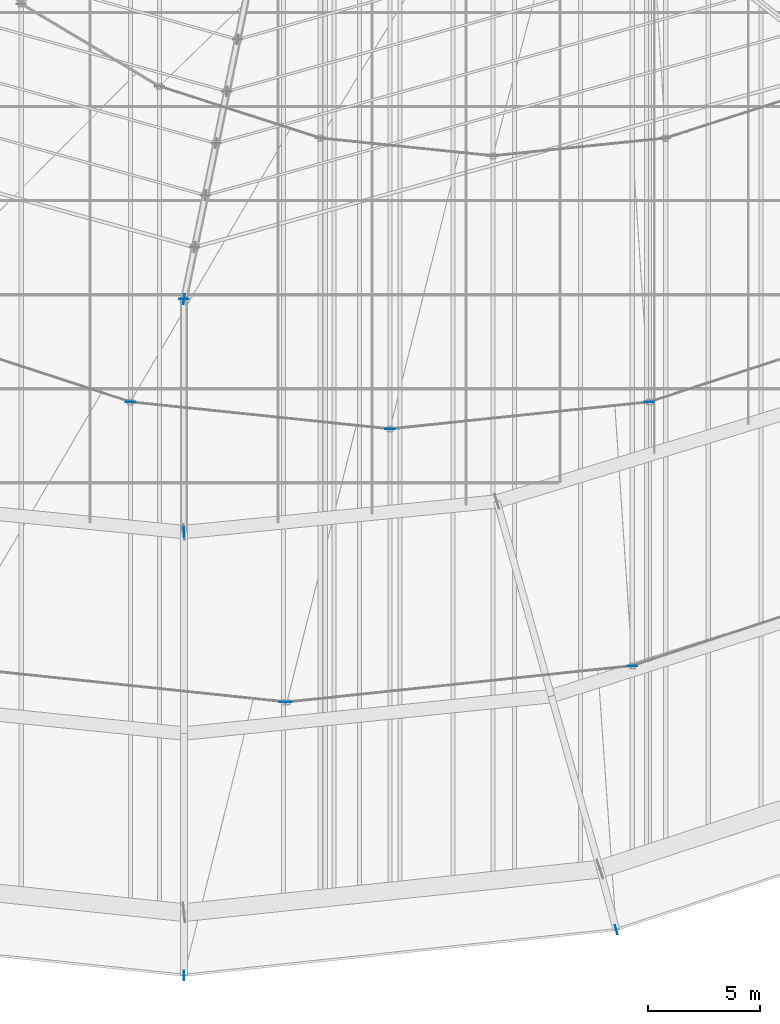
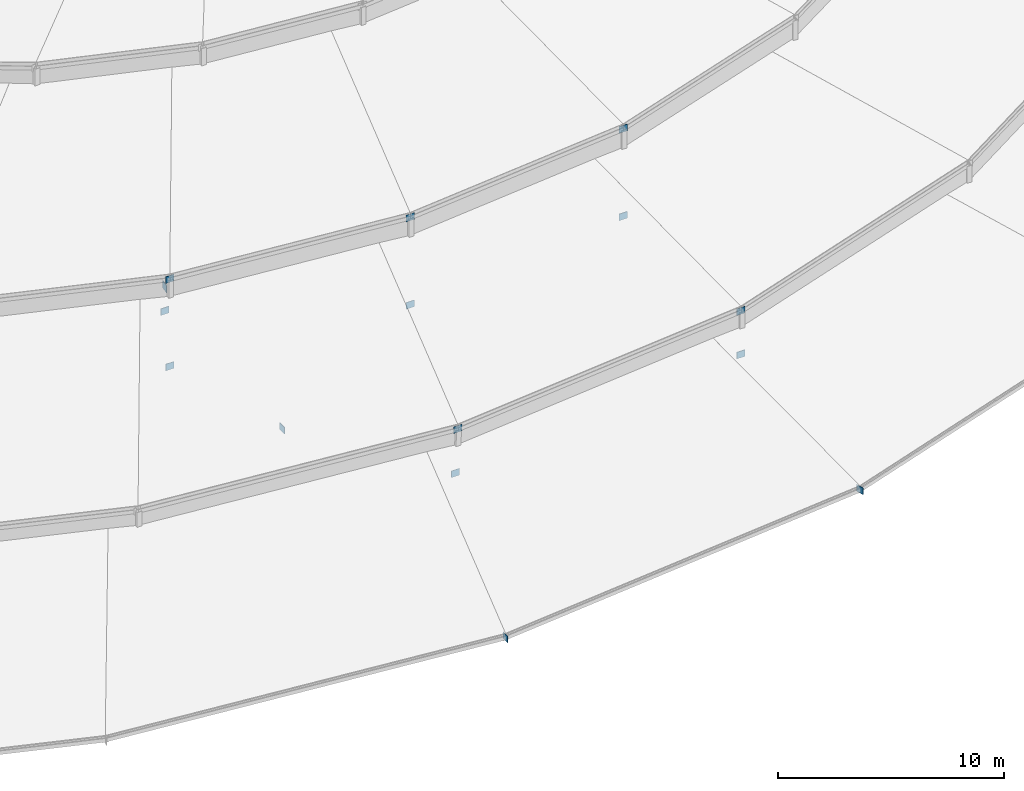
# One storey, part 164 of 184: 15 plates.
"""IFC4 building model written with IfcOpenShell, lengths in metres."""

from ifc_helpers import new_model, si_unit, direction, frame, origin, origin_2d, place, context, subcontext, project, spatial, rectangle, extrude, material, layer, layer_set, type_object, element, save


model = new_model("IFC4")

# Units and contexts
model_context = context("Model", 3, precision=1e-05, world=origin(), true_north=direction((0.0, 1.0)))
body_context = subcontext(model_context, "Body", "Model", "MODEL_VIEW")
ifc_project = project(units=[si_unit("LENGTHUNIT", "METRE"), si_unit("AREAUNIT", "SQUARE_METRE"), si_unit("VOLUMEUNIT", "CUBIC_METRE"), si_unit("PLANEANGLEUNIT", "RADIAN"), si_unit("MASSUNIT", "GRAM", prefix="KILO")], contexts=[model_context])

# Site, building, storey
site_placement = place(None, origin())
site = spatial("IfcSite", under=ifc_project, at=site_placement, CompositionType="ELEMENT")
building_placement = place(site_placement, origin())
building = spatial("IfcBuilding", under=site, at=building_placement, Name="Kalgoora Escarpment Arena", CompositionType="ELEMENT")
storey_placement = place(building_placement, frame((0.0, 0.0, 27.60009765625)))
storey = spatial("IfcBuildingStorey", under=building, at=storey_placement, Name="Roof Level", CompositionType="ELEMENT", Elevation=27.60009765625)

# Plates
ifc_material = material(Name="Structural steel Grade 350 (350 MPa)", Category="steel")
ifc_layer = layer(ifc_material, 0.02490234375)
ifc_layer_set = layer_set([ifc_layer], Name="PLT-GUSSET-25")
plate_type = type_object("IfcPlateType", Name="PLT-GUSSET-25", PredefinedType="USERDEFINED", material=ifc_layer_set)
plate_placement = place(storey_placement, frame((92.39990234375, 34.39990234375, -0.550048828125), z_axis=(0.0, 0.0, 1.0), x_axis=(0.141419587774, 0.989949746297, 0.0)))
element("IfcPlate", 1, at=plate_placement, inside=storey, type_object=plate_type, Name="Radial ROOF TRUSS node gusset plate S7-1", ObjectType="FLANGE PLATE", PredefinedType="USERDEFINED", context=body_context, shape_type="SweptSolid", body=[
    extrude(rectangle(XDim=0.43994140625, YDim=0.02490234375, at=origin_2d()), origin(), (0.0, 0.0, 1.0), 0.39990234375),
])
for number, where, z_axis, x_axis, name in (
    (2, (92.39990234375, 24.0, -1.88037109375), (0.0, 0.0, 1.0), (0.0, 1.0, 0.0), "Brace and post end gusset plate 133"),
    (3, (92.39990234375, 34.39990234375, -1.830078125), (0.0, 0.0, 1.0), (1.0, 0.0, 0.0), "Brace and post end gusset plate 134"),
    (4, (92.39990234375, 4.199951171875, -1.18017578125), (0.0, 0.0, 1.0), (0.0, -1.0, 0.0), "Brace and post end gusset plate 173"),
    (5, (111.7080078125, 6.237548828125, -1.18017578125), (0.0, 0.0, 1.0), (0.258819045103, -0.965925826289, 0.0), "Brace and post end gusset plate 174"),
    (6, (96.8798828125, 16.39990234375, -1.26025390625), (0.0, 0.0, 1.0), (1.0, 0.0, 0.0), "Brace and post end gusset plate 215"),
    (7, (97.0, 16.39990234375, 1.0849609375), (0.0, 0.0, 1.0), (1.0, 0.0, 0.0), "Brace and post end gusset plate 216"),
    (8, (112.425537109375, 18.02197265625, -1.26025390625), (0.0, 0.0, 1.0), (1.0, 0.0, 0.0), "Brace and post end gusset plate 217"),
    (9, (112.425537109375, 18.02197265625, 1.0849609375), (0.0, 0.0, 1.0), (1.0, 0.0, 0.0), "Brace and post end gusset plate 218"),
    (10, (90.0048828125, 29.80615234375, -1.2001953125), (0.0, 0.0, 1.0), (1.0, 0.0, 0.0), "Brace and post end gusset plate 260"),
    (11, (90.0048828125, 29.80615234375, 3.52490234375), (0.0, 0.0, 1.0), (1.0, 0.0, 0.0), "Brace and post end gusset plate 261"),
    (12, (101.60009765625, 28.60009765625, -1.2001953125), (0.0, 0.0, 1.0), (1.0, 0.0, 0.0), "Brace and post end gusset plate 262"),
    (13, (101.60009765625, 28.60009765625, 3.52490234375), (0.0, 0.0, 1.0), (1.0, 0.0, 0.0), "Brace and post end gusset plate 263"),
    (14, (113.195068359375, 29.80615234375, -1.2001953125), (0.0, 0.0, 1.0), (1.0, 0.0, 0.0), "Brace and post end gusset plate 264"),
    (15, (113.195068359375, 29.80615234375, 3.52490234375), (0.0, 0.0, 1.0), (1.0, 0.0, 0.0), "Brace and post end gusset plate 265"),
):
    element("IfcPlate", number, at=place(storey_placement, frame(where, z_axis=z_axis, x_axis=x_axis)), inside=storey, type_object=plate_type, Name=name, ObjectType="FLANGE PLATE", PredefinedType="USERDEFINED", context=body_context, shape_type="SweptSolid", body=[
        extrude(rectangle(XDim=0.419921875, YDim=0.02490234375, at=origin_2d()), origin(), (0.0, 0.0, 1.0), 0.360107421875),
    ])

save(model, "model.ifc")
